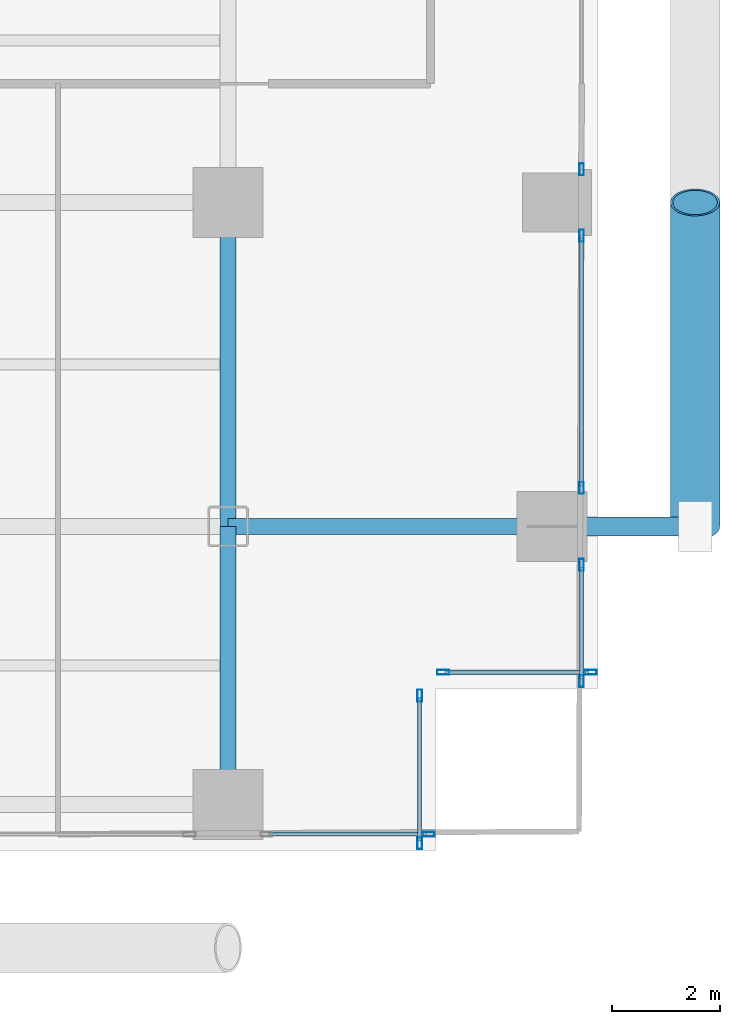
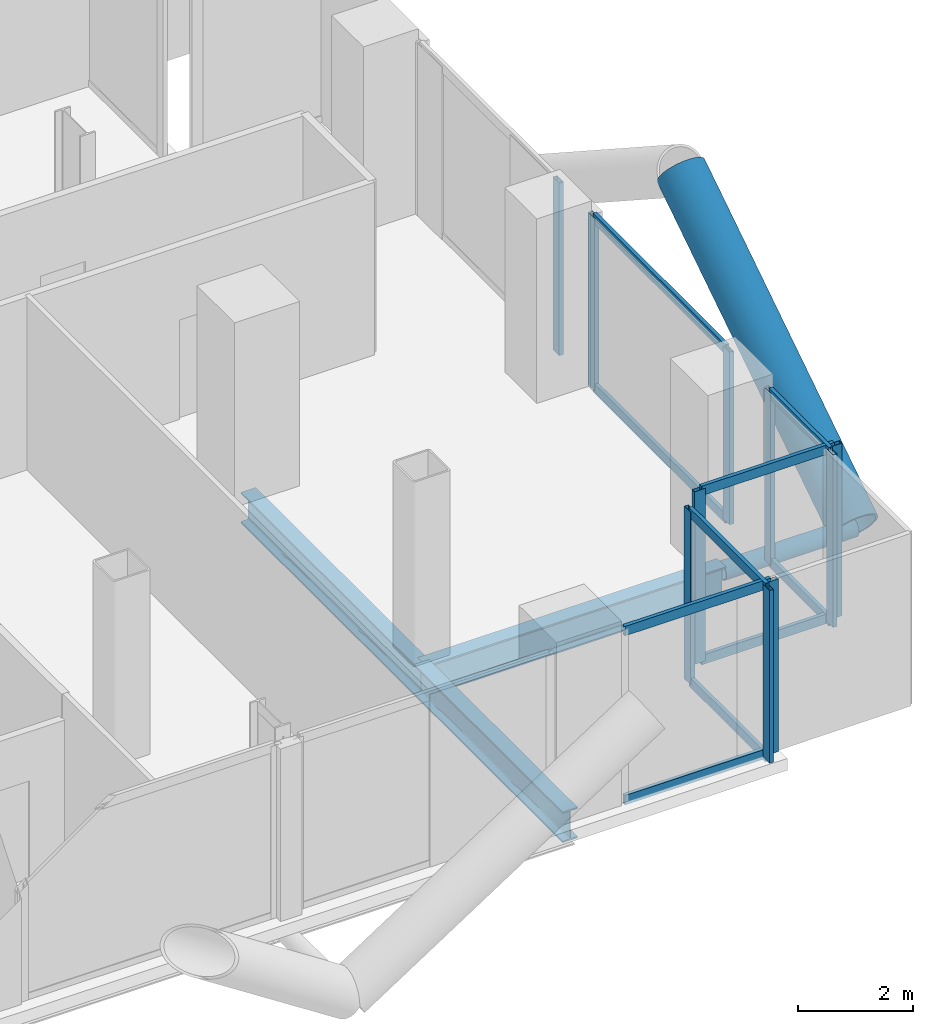
# One storey, part 10 of 25: 22 members, 3 beams, 6 elements without a shape of their own.
"""IFC4 building model written with IfcOpenShell, lengths in metres."""

from ifc_helpers import new_model, si_unit, direction, frame, origin, origin_2d, place, context, subcontext, project, spatial, hollow_rectangle, hollow_circle, i_section, extrude, material, layer, layer_set, material_profile, profile_set, type_object, element, aggregate, save


model = new_model("IFC4")

# Units and contexts
model_context = context("Model", 3, precision=1e-05, world=origin(), true_north=direction((0.0, 1.0)))
body_context = subcontext(model_context, "Body", "Model", "MODEL_VIEW")
ifc_project = project(units=[si_unit("LENGTHUNIT", "METRE"), si_unit("AREAUNIT", "SQUARE_METRE"), si_unit("VOLUMEUNIT", "CUBIC_METRE"), si_unit("PLANEANGLEUNIT", "RADIAN"), si_unit("MASSUNIT", "GRAM", prefix="KILO"), si_unit("THERMODYNAMICTEMPERATUREUNIT", "KELVIN"), si_unit("POWERUNIT", "WATT")], contexts=[model_context])

# Site, building, storey
site_placement = place(None, origin())
site = spatial("IfcSite", under=ifc_project, at=site_placement, CompositionType="ELEMENT")
building_placement = place(site_placement, origin())
building = spatial("IfcBuilding", under=site, at=building_placement, Name="Svarakhadi Broadcast Tower", CompositionType="ELEMENT")
storey_placement = place(building_placement, frame((0.0, 0.0, 32.39990234375)))
storey = spatial("IfcBuildingStorey", under=building, at=storey_placement, Name="L06", CompositionType="ELEMENT", Elevation=32.39990234375)

# Curtain wall, member
ifc_material_1 = material(Name="Anodised Bronze Aluminium AA 6063-T6", Category="aluminium")
ifc_layer = layer(ifc_material_1, 0.219970703125)
ifc_layer_set = layer_set([ifc_layer], Name="Anodised Bronze Aluminium AA 6063-T6")
curtain_wall_type = type_object("IfcCurtainWallType", Name="CW_Sys_02", PredefinedType="NOTDEFINED", material=ifc_layer_set)
curtain_wall_1_placement = place(storey_placement, origin())
curtain_wall_1 = element("IfcCurtainWall", 1, at=curtain_wall_1_placement, inside=storey, type_object=curtain_wall_type, Name="L06 Unitised Facade Curtain Wall 13 Bay 2", PredefinedType="NOTDEFINED")
ifc_material_profile_1 = material_profile(ifc_material_1, hollow_rectangle(XDim=0.0849609375, YDim=0.219970703125, WallThickness=0.006103515625, at=origin_2d()), Name="ALU MULLION 220x85x6")
ifc_profile_set_1 = profile_set([ifc_material_profile_1], Name="Anodised Bronze Aluminium AA 6063-T6")
member_type_1 = type_object("IfcMemberType", Name="CW_Sys_02_Mul", PredefinedType="MULLION", material=ifc_profile_set_1)
member_1_placement = place(storey_placement, frame((53.699951171875, 12.612548828125, 0.0), z_axis=(0.0, 0.0, 1.0), x_axis=(1.0, 0.0, 0.0)))
member_1 = element("IfcMember", 2, at=member_1_placement, type_object=member_type_1, Name="CW-02 mullion 2", PredefinedType="MULLION", context=body_context, shape_type="SweptSolid", body=[
    extrude(hollow_rectangle(XDim=0.0849609375, YDim=0.219970703125, WallThickness=0.006103515625, at=origin_2d()), origin(), (0.0, 0.0, 1.0), 3.650146484375),
])
aggregate(curtain_wall_1, [member_1])

# Curtain wall, members
curtain_wall_2_placement = place(storey_placement, origin())
curtain_wall_2 = element("IfcCurtainWall", 3, at=curtain_wall_2_placement, inside=storey, type_object=curtain_wall_type, Name="L06 Unitised Facade Curtain Wall 13 Bay 3", PredefinedType="NOTDEFINED")
member_2_placement = place(storey_placement, frame((53.699951171875, 11.387451171875, 0.0), z_axis=(0.0, 0.0, 1.0), x_axis=(1.0, 0.0, 0.0)))
member_2 = element("IfcMember", 4, at=member_2_placement, type_object=member_type_1, Name="CW-02 mullion 1", PredefinedType="MULLION", context=body_context, shape_type="SweptSolid", body=[
    extrude(hollow_rectangle(XDim=0.0849609375, YDim=0.219970703125, WallThickness=0.006103515625, at=origin_2d()), origin(), (0.0, 0.0, 1.0), 3.650146484375),
])
member_3_placement = place(storey_placement, frame((53.699951171875, 6.71240234375, 0.0), z_axis=(0.0, 0.0, 1.0), x_axis=(1.0, 0.0, 0.0)))
member_3 = element("IfcMember", 5, at=member_3_placement, type_object=member_type_1, Name="CW-02 mullion 2", PredefinedType="MULLION", context=body_context, shape_type="SweptSolid", body=[
    extrude(hollow_rectangle(XDim=0.0849609375, YDim=0.219970703125, WallThickness=0.006103515625, at=origin_2d()), origin(), (0.0, 0.0, 1.0), 3.650146484375),
])

curtain_wall_3_placement = place(storey_placement, origin())
curtain_wall_3 = element("IfcCurtainWall", 6, at=curtain_wall_3_placement, inside=storey, type_object=curtain_wall_type, Name="L06 Unitised Facade Curtain Wall 13 Bay 4", PredefinedType="NOTDEFINED")
member_4_placement = place(storey_placement, frame((53.699951171875, 5.28759765625, 0.0), z_axis=(0.0, 0.0, 1.0), x_axis=(1.0, 0.0, 0.0)))
member_4 = element("IfcMember", 7, at=member_4_placement, type_object=member_type_1, Name="CW-02 mullion 1", PredefinedType="MULLION", context=body_context, shape_type="SweptSolid", body=[
    extrude(hollow_rectangle(XDim=0.0849609375, YDim=0.219970703125, WallThickness=0.006103515625, at=origin_2d()), origin(), (0.0, 0.0, 1.0), 3.650146484375),
])
member_5_placement = place(storey_placement, frame((53.699951171875, 3.132568359375, 0.0), z_axis=(0.0, 0.0, 1.0), x_axis=(1.0, 0.0, 0.0)))
member_5 = element("IfcMember", 8, at=member_5_placement, type_object=member_type_1, Name="CW-02 mullion 2", PredefinedType="MULLION", context=body_context, shape_type="SweptSolid", body=[
    extrude(hollow_rectangle(XDim=0.0849609375, YDim=0.219970703125, WallThickness=0.006103515625, at=origin_2d()), origin(), (0.0, 0.0, 1.0), 3.650146484375),
])

curtain_wall_4_placement = place(storey_placement, origin())
curtain_wall_4 = element("IfcCurtainWall", 9, at=curtain_wall_4_placement, inside=storey, type_object=curtain_wall_type, Name="L06 Unitised Facade Curtain Wall 14", PredefinedType="NOTDEFINED")
member_6_placement = place(storey_placement, frame((53.867431640625, 3.300048828125, 0.0), z_axis=(0.0, 0.0, 1.0), x_axis=(0.0, -1.0, 0.0)))
member_6 = element("IfcMember", 10, at=member_6_placement, type_object=member_type_1, Name="CW-02 mullion 1", PredefinedType="MULLION", context=body_context, shape_type="SweptSolid", body=[
    extrude(hollow_rectangle(XDim=0.0849609375, YDim=0.219970703125, WallThickness=0.006103515625, at=origin_2d()), origin(), (0.0, 0.0, 1.0), 3.650146484375),
])
member_7_placement = place(storey_placement, frame((51.132568359375, 3.300048828125, 0.0), z_axis=(0.0, 0.0, 1.0), x_axis=(0.0, -1.0, 0.0)))
member_7 = element("IfcMember", 11, at=member_7_placement, type_object=member_type_1, Name="CW-02 mullion 2", PredefinedType="MULLION", context=body_context, shape_type="SweptSolid", body=[
    extrude(hollow_rectangle(XDim=0.0849609375, YDim=0.219970703125, WallThickness=0.006103515625, at=origin_2d()), origin(), (0.0, 0.0, 1.0), 3.650146484375),
])

curtain_wall_5_placement = place(storey_placement, origin())
curtain_wall_5 = element("IfcCurtainWall", 12, at=curtain_wall_5_placement, inside=storey, type_object=curtain_wall_type, Name="L06 Unitised Facade Curtain Wall 15", PredefinedType="NOTDEFINED")
member_8_placement = place(storey_placement, frame((50.699951171875, 2.867431640625, 0.0), z_axis=(0.0, 0.0, 1.0), x_axis=(1.0, 0.0, 0.0)))
member_8 = element("IfcMember", 13, at=member_8_placement, type_object=member_type_1, Name="CW-02 mullion 1", PredefinedType="MULLION", context=body_context, shape_type="SweptSolid", body=[
    extrude(hollow_rectangle(XDim=0.0849609375, YDim=0.219970703125, WallThickness=0.006103515625, at=origin_2d()), origin(), (0.0, 0.0, 1.0), 3.650146484375),
])
member_9_placement = place(storey_placement, frame((50.699951171875, 0.132568359375, 0.0), z_axis=(0.0, 0.0, 1.0), x_axis=(1.0, 0.0, 0.0)))
member_9 = element("IfcMember", 14, at=member_9_placement, type_object=member_type_1, Name="CW-02 mullion 2", PredefinedType="MULLION", context=body_context, shape_type="SweptSolid", body=[
    extrude(hollow_rectangle(XDim=0.0849609375, YDim=0.219970703125, WallThickness=0.006103515625, at=origin_2d()), origin(), (0.0, 0.0, 1.0), 3.650146484375),
])

# Curtain wall, member
curtain_wall_6_placement = place(storey_placement, origin())
curtain_wall_6 = element("IfcCurtainWall", 15, at=curtain_wall_6_placement, inside=storey, type_object=curtain_wall_type, Name="L06 South Curtain Wall 16 Bay 1", PredefinedType="NOTDEFINED")
member_10_placement = place(storey_placement, frame((50.867431640625, 0.300048828125, 0.0), z_axis=(0.0, 0.0, 1.0), x_axis=(0.0, -1.0, 0.0)))
member_10 = element("IfcMember", 16, at=member_10_placement, type_object=member_type_1, Name="CW-02 mullion 1", PredefinedType="MULLION", context=body_context, shape_type="SweptSolid", body=[
    extrude(hollow_rectangle(XDim=0.0849609375, YDim=0.219970703125, WallThickness=0.006103515625, at=origin_2d()), origin(), (0.0, 0.0, 1.0), 3.650146484375),
])

# Member
ifc_material_profile_2 = material_profile(ifc_material_1, hollow_rectangle(XDim=0.074951171875, YDim=0.199951171875, WallThickness=0.0048828125, at=origin_2d()), Name="ALU TRANSOM 200x75x5")
ifc_profile_set_2 = profile_set([ifc_material_profile_2], Name="Anodised Bronze Aluminium AA 6063-T6")
member_type_2 = type_object("IfcMemberType", Name="CW_Sys_02_Trn", PredefinedType="USERDEFINED", material=ifc_profile_set_2)
member_11_placement = place(storey_placement, frame((53.699951171875, 11.344970703125, 0.03759765625), z_axis=(0.0, -1.0, 0.0), x_axis=(1.0, 0.0, 0.0)))
member_11 = element("IfcMember", 17, at=member_11_placement, type_object=member_type_2, Name="CW-02 transom 1.1", ObjectType="TRANSOM", PredefinedType="USERDEFINED", context=body_context, shape_type="SweptSolid", body=[
    extrude(hollow_rectangle(XDim=0.074951171875, YDim=0.199951171875, WallThickness=0.0048828125, at=origin_2d()), origin(), (0.0, 0.0, 1.0), 4.590087890625),
])

member_12_placement = place(storey_placement, frame((53.699951171875, 11.344970703125, 3.612548828125), z_axis=(0.0, -1.0, 0.0), x_axis=(1.0, 0.0, 0.0)))
member_12 = element("IfcMember", 18, at=member_12_placement, type_object=member_type_2, Name="CW-02 transom 1.2", ObjectType="TRANSOM", PredefinedType="USERDEFINED", context=body_context, shape_type="SweptSolid", body=[
    extrude(hollow_rectangle(XDim=0.074951171875, YDim=0.199951171875, WallThickness=0.0048828125, at=origin_2d()), origin(), (0.0, 0.0, 1.0), 4.590087890625),
])

aggregate(curtain_wall_2, [member_2, member_3, member_11, member_12])

member_13_placement = place(storey_placement, frame((53.699951171875, 5.2451171875, 0.03759765625), z_axis=(0.0, -1.0, 0.0), x_axis=(1.0, 0.0, 0.0)))
member_13 = element("IfcMember", 19, at=member_13_placement, type_object=member_type_2, Name="CW-02 transom 1.1", ObjectType="TRANSOM", PredefinedType="USERDEFINED", context=body_context, shape_type="SweptSolid", body=[
    extrude(hollow_rectangle(XDim=0.074951171875, YDim=0.199951171875, WallThickness=0.0048828125, at=origin_2d()), origin(), (0.0, 0.0, 1.0), 2.070068359375),
])

member_14_placement = place(storey_placement, frame((53.699951171875, 5.2451171875, 3.612548828125), z_axis=(0.0, -1.0, 0.0), x_axis=(1.0, 0.0, 0.0)))
member_14 = element("IfcMember", 20, at=member_14_placement, type_object=member_type_2, Name="CW-02 transom 1.2", ObjectType="TRANSOM", PredefinedType="USERDEFINED", context=body_context, shape_type="SweptSolid", body=[
    extrude(hollow_rectangle(XDim=0.074951171875, YDim=0.199951171875, WallThickness=0.0048828125, at=origin_2d()), origin(), (0.0, 0.0, 1.0), 2.070068359375),
])

aggregate(curtain_wall_3, [member_4, member_5, member_13, member_14])

member_15_placement = place(storey_placement, frame((53.824951171875, 3.300048828125, 0.03759765625), z_axis=(-1.0, 0.0, 0.0), x_axis=(0.0, -1.0, 0.0)))
member_15 = element("IfcMember", 21, at=member_15_placement, type_object=member_type_2, Name="CW-02 transom 1.1", ObjectType="TRANSOM", PredefinedType="USERDEFINED", context=body_context, shape_type="SweptSolid", body=[
    extrude(hollow_rectangle(XDim=0.074951171875, YDim=0.199951171875, WallThickness=0.0048828125, at=origin_2d()), origin(), (0.0, 0.0, 1.0), 2.64990234375),
])

member_16_placement = place(storey_placement, frame((53.824951171875, 3.300048828125, 3.612548828125), z_axis=(-1.0, 0.0, 0.0), x_axis=(0.0, -1.0, 0.0)))
member_16 = element("IfcMember", 22, at=member_16_placement, type_object=member_type_2, Name="CW-02 transom 1.2", ObjectType="TRANSOM", PredefinedType="USERDEFINED", context=body_context, shape_type="SweptSolid", body=[
    extrude(hollow_rectangle(XDim=0.074951171875, YDim=0.199951171875, WallThickness=0.0048828125, at=origin_2d()), origin(), (0.0, 0.0, 1.0), 2.64990234375),
])

aggregate(curtain_wall_4, [member_6, member_7, member_15, member_16])

member_17_placement = place(storey_placement, frame((50.699951171875, 2.824951171875, 0.03759765625), z_axis=(0.0, -1.0, 0.0), x_axis=(1.0, 0.0, 0.0)))
member_17 = element("IfcMember", 23, at=member_17_placement, type_object=member_type_2, Name="CW-02 transom 1.1", ObjectType="TRANSOM", PredefinedType="USERDEFINED", context=body_context, shape_type="SweptSolid", body=[
    extrude(hollow_rectangle(XDim=0.074951171875, YDim=0.199951171875, WallThickness=0.0048828125, at=origin_2d()), origin(), (0.0, 0.0, 1.0), 2.64990234375),
])

member_18_placement = place(storey_placement, frame((50.699951171875, 2.824951171875, 3.612548828125), z_axis=(0.0, -1.0, 0.0), x_axis=(1.0, 0.0, 0.0)))
member_18 = element("IfcMember", 24, at=member_18_placement, type_object=member_type_2, Name="CW-02 transom 1.2", ObjectType="TRANSOM", PredefinedType="USERDEFINED", context=body_context, shape_type="SweptSolid", body=[
    extrude(hollow_rectangle(XDim=0.074951171875, YDim=0.199951171875, WallThickness=0.0048828125, at=origin_2d()), origin(), (0.0, 0.0, 1.0), 2.64990234375),
])

aggregate(curtain_wall_5, [member_8, member_9, member_17, member_18])

member_19_placement = place(storey_placement, frame((50.824951171875, 0.300048828125, 0.03759765625), z_axis=(-1.0, 0.0, 0.0), x_axis=(0.0, -1.0, 0.0)))
member_19 = element("IfcMember", 25, at=member_19_placement, type_object=member_type_2, Name="CW-02 transom 1.1", ObjectType="TRANSOM", PredefinedType="USERDEFINED", context=body_context, shape_type="SweptSolid", body=[
    extrude(hollow_rectangle(XDim=0.074951171875, YDim=0.199951171875, WallThickness=0.0048828125, at=origin_2d()), origin(), (0.0, 0.0, 1.0), 2.919921875),
])

member_20_placement = place(storey_placement, frame((50.824951171875, 0.300048828125, 3.612548828125), z_axis=(-1.0, 0.0, 0.0), x_axis=(0.0, -1.0, 0.0)))
member_20 = element("IfcMember", 26, at=member_20_placement, type_object=member_type_2, Name="CW-02 transom 1.2", ObjectType="TRANSOM", PredefinedType="USERDEFINED", context=body_context, shape_type="SweptSolid", body=[
    extrude(hollow_rectangle(XDim=0.074951171875, YDim=0.199951171875, WallThickness=0.0048828125, at=origin_2d()), origin(), (0.0, 0.0, 1.0), 2.919921875),
])

aggregate(curtain_wall_6, [member_10, member_19, member_20])

# Members
ifc_material_2 = material(Name="Steel S460ML (IS 2062 E450BR)", Category="steel")
ifc_material_profile_3 = material_profile(ifc_material_2, hollow_circle(Radius=0.45703125, WallThickness=0.044921875, at=origin_2d()), Name="CHS 914x45")
ifc_profile_set_3 = profile_set([ifc_material_profile_3], Name="Steel S460ML (IS 2062 E450BR)")
member_type_3 = type_object("IfcMemberType", Name="Exo_Brace_CHS914", PredefinedType="BRACE", material=ifc_profile_set_3)
member_21_placement = place(storey_placement, frame((55.800048828125, 6.0, -0.427734375), z_axis=(0.0, 0.838434262763, 0.545002740383), x_axis=(-1.0, 0.0, 0.0)))
element("IfcMember", 27, at=member_21_placement, inside=storey, type_object=member_type_3, Name="L06 Exposed Bronze Exoskeleton Diagonal E08", PredefinedType="BRACE", context=body_context, shape_type="SweptSolid", body=[
    extrude(hollow_circle(Radius=0.45703125, WallThickness=0.044921875, at=origin_2d()), origin(), (0.0, 0.0, 1.0), 7.15625),
])
ifc_material_profile_4 = material_profile(ifc_material_2, hollow_circle(Radius=0.177734375, WallThickness=0.02001953125, at=origin_2d()), Name="CHS 355.6x20")
ifc_profile_set_4 = profile_set([ifc_material_profile_4], Name="Steel S460ML (IS 2062 E450BR)")
member_type_4 = type_object("IfcMemberType", Name="Exo_Radial_Strut_Z1", PredefinedType="STRUT", material=ifc_profile_set_4)
member_22_placement = place(storey_placement, frame((55.800048828125, 6.0, -0.427734375), z_axis=(-1.0, 0.0, 0.0), x_axis=(0.0, -1.0, 0.0)))
element("IfcMember", 28, at=member_22_placement, inside=storey, type_object=member_type_4, Name="L06 Exoskeleton Radial Tie Strut E05", PredefinedType="STRUT", context=body_context, shape_type="SweptSolid", body=[
    extrude(hollow_circle(Radius=0.177734375, WallThickness=0.02001953125, at=origin_2d()), origin(), (0.0, 0.0, 1.0), 2.650146484375),
])

# Beams
ifc_material_3 = material(Name="Steel S355J2 (IS 2062 E350C)", Category="steel")
ifc_material_profile_5 = material_profile(ifc_material_3, i_section(OverallWidth=0.300048828125, OverallDepth=0.64990234375, WebThickness=0.01611328125, FlangeThickness=0.031005859375, FilletRadius=0.027099609375, at=origin_2d()), Name="WPB 650x300x225")
ifc_profile_set_5 = profile_set([ifc_material_profile_5], Name="Steel S355J2 (IS 2062 E350C)")
beam_type = type_object("IfcBeamType", Name="Girder_WPB650", PredefinedType="USERDEFINED", material=ifc_profile_set_5)
beam_1_placement = place(storey_placement, frame((47.14990234375, 6.0, -0.574951171875), z_axis=(1.0, 0.0, 0.0), x_axis=(0.0, 1.0, 0.0)))
element("IfcBeam", 29, at=beam_1_placement, inside=storey, type_object=beam_type, Name="L06 Primary E-W Girder G018", ObjectType="GIRDER", PredefinedType="USERDEFINED", context=body_context, shape_type="SweptSolid", body=[
    extrude(i_section(OverallWidth=0.300048828125, OverallDepth=0.64990234375, WebThickness=0.01611328125, FlangeThickness=0.031005859375, FilletRadius=0.027099609375, at=origin_2d()), origin(), (0.0, 0.0, 1.0), 6.0),
])
beam_2_placement = place(storey_placement, frame((47.14990234375, 0.85009765625, -0.574951171875), z_axis=(0.0, 1.0, 0.0), x_axis=(-1.0, 0.0, 0.0)))
element("IfcBeam", 30, at=beam_2_placement, inside=storey, type_object=beam_type, Name="L06 Primary N-S Girder G082", ObjectType="GIRDER", PredefinedType="USERDEFINED", context=body_context, shape_type="SweptSolid", body=[
    extrude(i_section(OverallWidth=0.300048828125, OverallDepth=0.64990234375, WebThickness=0.01611328125, FlangeThickness=0.031005859375, FilletRadius=0.027099609375, at=origin_2d()), origin(), (0.0, 0.0, 1.0), 5.14990234375),
])
beam_3_placement = place(storey_placement, frame((47.14990234375, 6.0, -0.574951171875), z_axis=(0.0, 1.0, 0.0), x_axis=(-1.0, 0.0, 0.0)))
element("IfcBeam", 31, at=beam_3_placement, inside=storey, type_object=beam_type, Name="L06 Primary N-S Girder G083", ObjectType="GIRDER", PredefinedType="USERDEFINED", context=body_context, shape_type="SweptSolid", body=[
    extrude(i_section(OverallWidth=0.300048828125, OverallDepth=0.64990234375, WebThickness=0.01611328125, FlangeThickness=0.031005859375, FilletRadius=0.027099609375, at=origin_2d()), origin(), (0.0, 0.0, 1.0), 6.0),
])

save(model, "model.ifc")
